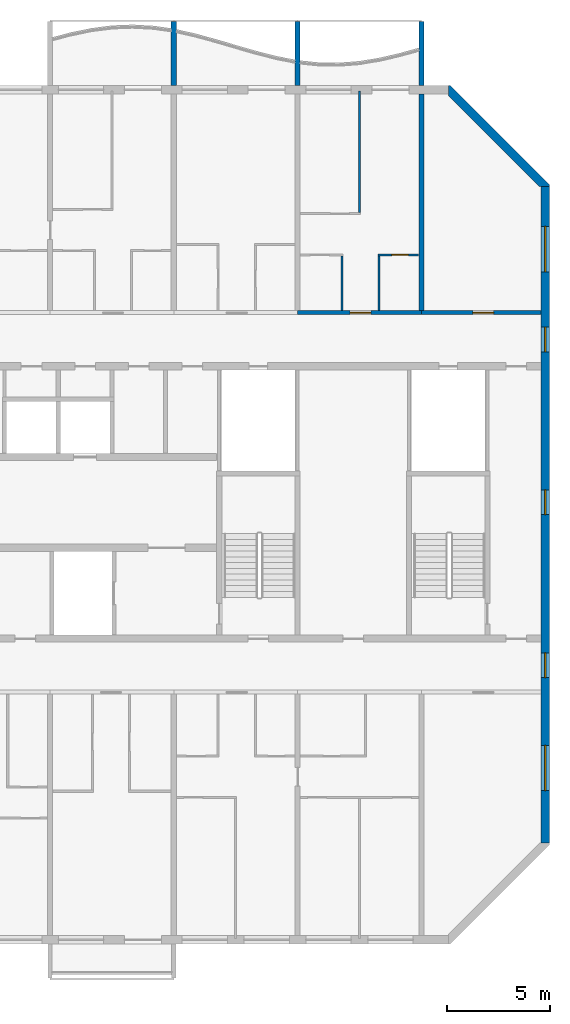
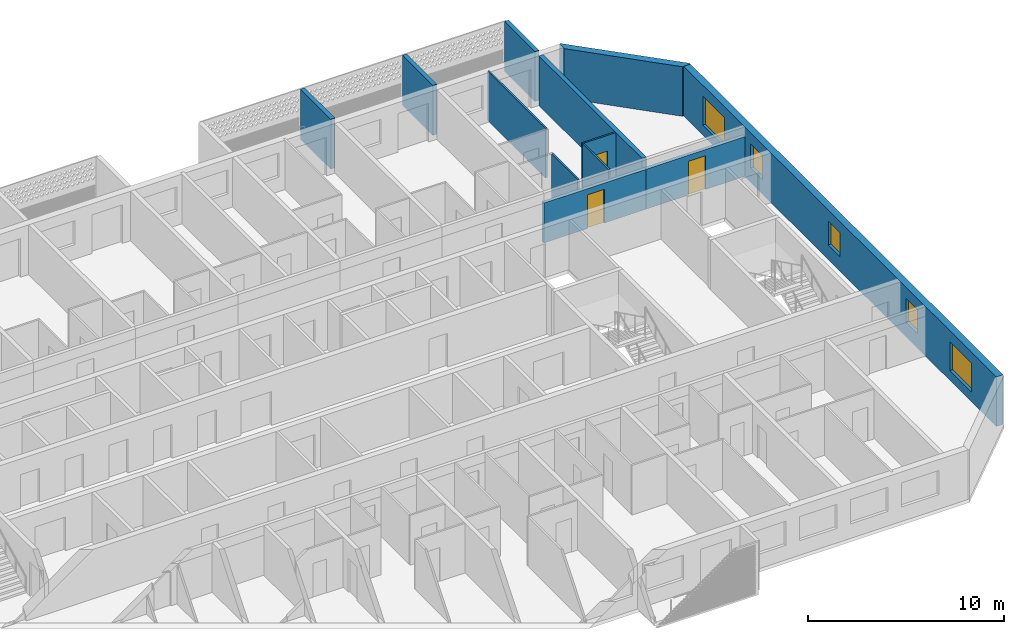
# One storey, part 11 of 29: 12 walls, 5 windows, 3 doors, 8 openings.
"""IFC4 building model written with IfcOpenShell, lengths in metres."""

import ifcopenshell
import ifcopenshell.guid

model = None  # the IFC model being written
_history = None  # IfcOwnerHistory: only IFC2X3 demands one
_inside = {}  # id of a spatial element -> (the spatial element, [elements in it])
_under = {}  # id of a project, library or spatial element -> (it, [spatial elements below it])
_declared = {}  # id of a project -> (the project, [libraries it declares])
_typed = {}  # id of a type object -> (the type object, [elements of that type])
_made_of = {}  # id of a material, layer set ... -> (it, [elements and type objects made of it])


def new_model(schema):
    """Start an empty IFC model of exactly this schema.

    Asked for "IFC4X3", IfcOpenShell would pick the latest addendum, in which some entities
    have other attributes; the version numbers below select the first issue.
    IFC2X3 requires an IfcOwnerHistory on every rooted entity: one is made here for all.
    """
    global model, _history
    if schema == "IFC4X3":
        model = ifcopenshell.file(schema_version=(4, 3, 0, 0))
    else:
        model = ifcopenshell.file(schema=schema)
    _inside.clear()
    _under.clear()
    _declared.clear()
    _typed.clear()
    _made_of.clear()
    _history = None
    if model.schema == "IFC2X3":
        org = make("IfcOrganization", Name="unknown")
        user = make(
            "IfcPersonAndOrganization",
            ThePerson=make("IfcPerson", FamilyName="unknown"),
            TheOrganization=org,
        )
        app = make(
            "IfcApplication",
            ApplicationDeveloper=org,
            Version="unknown",
            ApplicationFullName="unknown",
            ApplicationIdentifier="unknown",
        )
        _history = make(
            "IfcOwnerHistory",
            OwningUser=user,
            OwningApplication=app,
            ChangeAction="ADDED",
            CreationDate=0,
        )
    return model


def make(cls, **values):
    """One entity of the class cls with the attributes given. An attribute that is None is left unset."""
    return model.create_entity(
        cls, **{name: value for name, value in values.items() if value is not None}
    )


def rooted(cls, **values):
    """An entity with a GlobalId (a new one), such as an element, a storey or a relation."""
    return make(cls, GlobalId=ifcopenshell.guid.new(), OwnerHistory=_history, **values)


def si_unit(unit_type, name, prefix=None):
    """IfcSIUnit, for example si_unit("LENGTHUNIT", "METRE", prefix="MILLI")."""
    return make("IfcSIUnit", UnitType=unit_type, Prefix=prefix, Name=name)


def assignment(units):
    """IfcUnitAssignment: the units of a project."""
    return None if units is None else make("IfcUnitAssignment", Units=units)


def point(xyz):
    """IfcCartesianPoint."""
    return None if xyz is None else make("IfcCartesianPoint", Coordinates=xyz)


def direction(xyz):
    """IfcDirection."""
    return None if xyz is None else make("IfcDirection", DirectionRatios=xyz)


def frame(location, z_axis=None, x_axis=None):
    """IfcAxis2Placement3D, a coordinate frame: its origin and axes. An axis left out is left unset."""
    return make(
        "IfcAxis2Placement3D",
        Location=point(location),
        Axis=direction(z_axis),
        RefDirection=direction(x_axis),
    )


def frame_2d(location, x_axis=None):
    """IfcAxis2Placement2D, a coordinate frame in the plane: its origin and x axis."""
    return make(
        "IfcAxis2Placement2D", Location=point(location), RefDirection=direction(x_axis)
    )


def origin():
    """The frame at (0, 0, 0) with its axes left unset."""
    return frame((0.0, 0.0, 0.0))


def place(relative_to, where):
    """IfcLocalPlacement: puts the frame where relative to a parent placement (None: the world)."""
    return make(
        "IfcLocalPlacement", PlacementRelTo=relative_to, RelativePlacement=where
    )


def context(
    kind, dimensions, precision=None, world=None, true_north=None, identifier=None
):
    """IfcGeometricRepresentationContext, for example the 3D "Model" context."""
    return make(
        "IfcGeometricRepresentationContext",
        ContextIdentifier=identifier,
        ContextType=kind,
        CoordinateSpaceDimension=dimensions,
        Precision=precision,
        WorldCoordinateSystem=world,
        TrueNorth=true_north,
    )


def subcontext(parent, identifier, kind, view, scale=None):
    """IfcGeometricRepresentationSubContext, for example "Body" below "Model"."""
    return make(
        "IfcGeometricRepresentationSubContext",
        ContextIdentifier=identifier,
        ContextType=kind,
        ParentContext=parent,
        TargetScale=scale,
        TargetView=view,
    )


def project(units=None, contexts=None):
    """IfcProject with its units and contexts."""
    return rooted(
        "IfcProject",
        Name="project",
        RepresentationContexts=contexts,
        UnitsInContext=assignment(units),
    )


def spatial(cls, under=None, at=None, **own):
    """A site, building, storey or space (cls), placed at a placement, below another one or the project."""
    s = rooted(cls, ObjectPlacement=at, **own)
    if under is not None:
        _under.setdefault(under.id(), (under, []))[1].append(s)
    return s


def polyline(points):
    """IfcPolyline through the points."""
    return make("IfcPolyline", Points=[point(p) for p in points])


def profile(cls, at=None, kind="AREA", **sizes):
    """A parametric profile (cls). Its sizes go by their IFC names, for example OverallWidth=200.0."""
    return make(cls, ProfileType=kind, Position=at, **sizes)


def rectangle(**sizes):
    """IfcRectangleProfileDef."""
    return profile("IfcRectangleProfileDef", **sizes)


def outline(outer, holes=None, kind="AREA"):
    """IfcArbitraryClosedProfileDef: a profile drawn as a closed curve; with holes, ...WithVoids."""
    if holes is None:
        return make("IfcArbitraryClosedProfileDef", ProfileType=kind, OuterCurve=outer)
    return make(
        "IfcArbitraryProfileDefWithVoids",
        ProfileType=kind,
        OuterCurve=outer,
        InnerCurves=holes,
    )


def extrude(swept, where, along, depth):
    """IfcExtrudedAreaSolid: the profile swept, set in the frame where, extruded along a direction by depth."""
    return make(
        "IfcExtrudedAreaSolid",
        SweptArea=swept,
        Position=where,
        ExtrudedDirection=direction(along),
        Depth=depth,
    )


def shape(context_of_items, identifier, shape_type, items):
    """IfcShapeRepresentation: the items that make up one representation, for example the "Body"."""
    return make(
        "IfcShapeRepresentation",
        ContextOfItems=context_of_items,
        RepresentationIdentifier=identifier,
        RepresentationType=shape_type,
        Items=items,
    )


def source(mapping_origin, context_of_items, identifier, shape_type, items):
    """IfcRepresentationMap: a shape defined once, which mapped items show again and again."""
    return make(
        "IfcRepresentationMap",
        MappingOrigin=mapping_origin,
        MappedRepresentation=shape(context_of_items, identifier, shape_type, items),
    )


def transform(
    local_origin,
    x_axis=None,
    y_axis=None,
    z_axis=None,
    scale=None,
    scale2=None,
    scale3=None,
    uniform=True,
):
    """IfcCartesianTransformationOperator3D, or its non-uniform kind. x_axis, y_axis, z_axis: its Axis1, 2, 3."""
    if uniform:
        return make(
            "IfcCartesianTransformationOperator3D",
            Axis1=direction(x_axis),
            Axis2=direction(y_axis),
            LocalOrigin=point(local_origin),
            Scale=scale,
            Axis3=direction(z_axis),
        )
    return make(
        "IfcCartesianTransformationOperator3DnonUniform",
        Axis1=direction(x_axis),
        Axis2=direction(y_axis),
        LocalOrigin=point(local_origin),
        Scale=scale,
        Axis3=direction(z_axis),
        Scale2=scale2,
        Scale3=scale3,
    )


def mapped(mapping_source, mapping_target):
    """IfcMappedItem: shows the shape of a source again, moved by a transform."""
    return make(
        "IfcMappedItem", MappingSource=mapping_source, MappingTarget=mapping_target
    )


def material(Name=None, Category=None):
    """IfcMaterial."""
    return make("IfcMaterial", Name=Name, Category=Category)


def layer(
    of_material, thickness, ventilated=None, Name=None, Category=None, Priority=None
):
    """IfcMaterialLayer: one layer of a wall or slab, of a material (None: an air gap)."""
    return make(
        "IfcMaterialLayer",
        Material=of_material,
        LayerThickness=thickness,
        IsVentilated=ventilated,
        Name=Name,
        Category=Category,
        Priority=Priority,
    )


def layer_set(layers, Name=None):
    """IfcMaterialLayerSet."""
    return make("IfcMaterialLayerSet", MaterialLayers=layers, LayerSetName=Name)


def made_of(thing, what):
    """Note that an element or type object is made of a material, layer set ...; save() writes the relation."""
    if what is not None:
        _made_of.setdefault(what.id(), (what, []))[1].append(thing)
    return thing


def type_object(cls, material=None, **own):
    """A type object (cls), such as IfcWallType, which elements share."""
    return made_of(rooted(cls, **own), material)


def element(
    cls,
    number,
    at=None,
    inside=None,
    cuts=None,
    type_object=None,
    material=None,
    context=None,
    identifier="Body",
    shape_type=None,
    held_by="IfcProductDefinitionShape",
    body=None,
    shapes=None,
    **own,
):
    """One element of the class cls, such as IfcWall. Its Tag is "e" and its number.

    at: its placement. inside: the storey or other place that contains it. cuts: it is an
    opening in that element (IfcRelVoidsElement). A single representation is given by context,
    identifier, shape_type and body (its items); several are given by shapes. held_by: the class
    of the entity that holds the representations. save() writes the other relations.
    """
    e = rooted(cls, Tag="e%d" % number, ObjectPlacement=at, **own)
    if body is not None:
        shapes = [shape(context, identifier, shape_type, body)]
    if shapes is not None:
        e.Representation = make(held_by, Representations=shapes)
    if inside is not None:
        _inside.setdefault(inside.id(), (inside, []))[1].append(e)
    if cuts is not None:
        rooted(
            "IfcRelVoidsElement", RelatingBuildingElement=cuts, RelatedOpeningElement=e
        )
    if type_object is not None:
        _typed.setdefault(type_object.id(), (type_object, []))[1].append(e)
    return made_of(e, material)


def fill(opening, filler):
    """IfcRelFillsElement: the door or window that sits in an opening."""
    return rooted(
        "IfcRelFillsElement",
        RelatingOpeningElement=opening,
        RelatedBuildingElement=filler,
    )


def aggregate(whole, parts):
    """IfcRelAggregates: a whole, such as a stair, and the parts it consists of."""
    return rooted("IfcRelAggregates", RelatingObject=whole, RelatedObjects=parts)


def save(model, path):
    """Write the relations noted so far, then the file.

    IfcRelAggregates (storeys below a building ...), IfcRelContainedInSpatialStructure (elements
    in a storey), IfcRelDefinesByType, IfcRelAssociatesMaterial and IfcRelDeclares: one each for
    every whole, place, type object, material and project.
    """
    for whole, parts in _under.values():
        aggregate(whole, parts)
    for where, things in _inside.values():
        rooted(
            "IfcRelContainedInSpatialStructure",
            RelatedElements=things,
            RelatingStructure=where,
        )
    for kind, things in _typed.values():
        rooted("IfcRelDefinesByType", RelatedObjects=things, RelatingType=kind)
    for what, things in _made_of.values():
        rooted("IfcRelAssociatesMaterial", RelatedObjects=things, RelatingMaterial=what)
    for by, libraries in _declared.values():
        rooted("IfcRelDeclares", RelatingContext=by, RelatedDefinitions=libraries)
    model.write(path)


model = new_model("IFC4")

# Units and contexts
model_context = context("Model", 3, precision=1e-05, world=origin(), true_north=direction((0.0, 1.0)))
body_context = subcontext(model_context, "Body", "Model", "MODEL_VIEW")
ifc_project = project(units=[si_unit("LENGTHUNIT", "METRE"), si_unit("AREAUNIT", "SQUARE_METRE"), si_unit("VOLUMEUNIT", "CUBIC_METRE"), si_unit("PLANEANGLEUNIT", "RADIAN"), si_unit("MASSUNIT", "GRAM", prefix="KILO")], contexts=[model_context])

# Site, building, storey
site_placement = place(None, origin())
site = spatial("IfcSite", under=ifc_project, at=site_placement, CompositionType="ELEMENT")
building_placement = place(site_placement, origin())
building = spatial("IfcBuilding", under=site, at=building_placement, Name="Poui Terraces", CompositionType="ELEMENT")
storey_placement = place(building_placement, frame((0.0, 0.0, 237.89990234375)))
storey = spatial("IfcBuildingStorey", under=building, at=storey_placement, Name="L66", CompositionType="ELEMENT", Elevation=237.89990234375)

# Wall, opening, door
ifc_material_1 = material(Name="Concrete 50 MPa", Category="concrete")
ifc_layer_1 = layer(ifc_material_1, 0.199951171875)
ifc_layer_set_1 = layer_set([ifc_layer_1], Name="Concrete 50 MPa")
wall_type_1 = type_object("IfcWallType", Name="CORRIDOR WALL 200 50MPa", PredefinedType="SHEAR", material=ifc_layer_set_1)
wall_1_placement = place(storey_placement, frame((72.0, 30.39990234375, 0.0), z_axis=(0.0, 0.0, 1.0), x_axis=(1.0, 0.0, 0.0)))
wall_1 = element("IfcWall", 1, at=wall_1_placement, inside=storey, type_object=wall_type_1, Name="CORRIDOR WALL LINE E BAY 10", PredefinedType="SHEAR", context=body_context, shape_type="SweptSolid", body=[
    extrude(rectangle(XDim=6.0, YDim=0.199951171875, at=frame_2d((3.0, 0.0))), origin(), (0.0, 0.0, 1.0), 2.47998046875),
])
opening_1_placement = place(wall_1_placement, frame((2.550048828125, 0.0, 0.0)))
opening_1 = element("IfcOpeningElement", 2, at=opening_1_placement, cuts=wall_1, Name="Opening FD30S", PredefinedType="OPENING", context=body_context, shape_type="SweptSolid", body=[
    extrude(rectangle(XDim=1.0, YDim=2.10009765625, at=frame_2d((0.5, 1.050048828125))), frame((0.0, 0.10986328125, 0.0), z_axis=(0.0, -1.0, 0.0), x_axis=(1.0, 0.0, 0.0)), (0.0, 0.0, 1.0), 0.219970703125),
])
ifc_material_2 = material(Name="Steel fire door", Category="steel")
door_type_1 = type_object("IfcDoorType", Name="FLAT ENTRANCE DOOR 1000 X 2100", OperationType="NOTDEFINED", PredefinedType="DOOR", material=ifc_material_2)
door_1_placement = place(opening_1_placement, origin())
door_1 = element("IfcDoor", 3, at=door_1_placement, inside=storey, type_object=door_type_1, Name="FLAT ENTRANCE DOOR 060", OperationType="SINGLE_SWING_RIGHT", OverallHeight=2.10009765625, OverallWidth=1.0, PredefinedType="DOOR", context=body_context, shape_type="SweptSolid", body=[
    extrude(rectangle(XDim=1.0, YDim=2.10009765625, at=frame_2d((0.5, 1.050048828125))), frame((0.0, 0.02490234375, 0.0), z_axis=(0.0, -1.0, 0.0), x_axis=(1.0, 0.0, 0.0)), (0.0, 0.0, 1.0), 0.050048828125),
])
fill(opening_1, door_1)

wall_2_placement = place(storey_placement, frame((78.0, 30.39990234375, 0.0), z_axis=(0.0, 0.0, 1.0), x_axis=(1.0, 0.0, 0.0)))
wall_2 = element("IfcWall", 4, at=wall_2_placement, inside=storey, type_object=wall_type_1, Name="CORRIDOR WALL LINE E BAY 11", PredefinedType="SHEAR", context=body_context, shape_type="SweptSolid", body=[
    extrude(rectangle(XDim=5.800048828125, YDim=0.199951171875, at=frame_2d((2.89990234375, 0.0))), origin(), (0.0, 0.0, 1.0), 2.47998046875),
])
opening_2_placement = place(wall_2_placement, frame((2.5, 0.0, 0.0)))
opening_2 = element("IfcOpeningElement", 5, at=opening_2_placement, cuts=wall_2, Name="Opening D100", PredefinedType="OPENING", context=body_context, shape_type="SweptSolid", body=[
    extrude(rectangle(XDim=1.0, YDim=2.10009765625, at=frame_2d((0.5, 1.050048828125))), frame((0.0, 0.10986328125, 0.0), z_axis=(0.0, -1.0, 0.0), x_axis=(1.0, 0.0, 0.0)), (0.0, 0.0, 1.0), 0.219970703125),
])
ifc_material_3 = material(Name="Solid core timber door", Category="wood")
door_type_2 = type_object("IfcDoorType", Name="ACCESSIBLE INTERNAL DOOR 1000 X 2100", OperationType="NOTDEFINED", PredefinedType="DOOR", material=ifc_material_3)
door_2_placement = place(opening_2_placement, origin())
door_2 = element("IfcDoor", 6, at=door_2_placement, inside=storey, type_object=door_type_2, Name="ACCESSIBLE INTERNAL DOOR 062", OperationType="SINGLE_SWING_LEFT", OverallHeight=2.10009765625, OverallWidth=1.0, PredefinedType="DOOR", context=body_context, shape_type="SweptSolid", body=[
    extrude(rectangle(XDim=1.0, YDim=2.10009765625, at=frame_2d((0.5, 1.050048828125))), frame((0.0, 0.02490234375, 0.0), z_axis=(0.0, -1.0, 0.0), x_axis=(1.0, 0.0, 0.0)), (0.0, 0.0, 1.0), 0.050048828125),
])
fill(opening_2, door_2)

# Wall
ifc_layer_2 = layer(ifc_material_1, 0.25)
ifc_layer_set_2 = layer_set([ifc_layer_2], Name="Concrete 50 MPa")
wall_type_2 = type_object("IfcWallType", Name="CROSS WALL 250 50MPa", PredefinedType="SHEAR", material=ifc_layer_set_2)
wall_3_placement = place(storey_placement, frame((78.0, 30.5, 0.0), z_axis=(0.0, 0.0, 1.0), x_axis=(0.0, 1.0, 0.0)))
element("IfcWall", 7, at=wall_3_placement, inside=storey, type_object=wall_type_2, Name="CROSS WALL LINE 14 NORTH", PredefinedType="SHEAR", context=body_context, shape_type="SweptSolid", body=[
    extrude(rectangle(XDim=10.5, YDim=0.25, at=frame_2d((5.25, 0.0))), origin(), (0.0, 0.0, 1.0), 3.080078125),
])

# Wall, openings, windows
ifc_layer_3 = layer(ifc_material_1, 0.39990234375)
ifc_layer_set_3 = layer_set([ifc_layer_3], Name="Concrete 50 MPa")
wall_type_3 = type_object("IfcWallType", Name="END WALL 400 50MPa", PredefinedType="SHEAR", material=ifc_layer_set_3)
wall_4_placement = place(storey_placement, frame((84.0, 4.682861328125, 0.0), z_axis=(0.0, 0.0, 1.0), x_axis=(0.0, 1.0, 0.0)))
wall_4 = element("IfcWall", 8, at=wall_4_placement, inside=storey, type_object=wall_type_3, Name="END WALL EAST", PredefinedType="SHEAR", context=body_context, shape_type="SweptSolid", body=[
    extrude(rectangle(XDim=31.834228515625, YDim=0.39990234375, at=frame_2d((15.9169921875, 0.0))), origin(), (0.0, 0.0, 1.0), 3.080078125),
])
opening_3_placement = place(wall_4_placement, frame((23.817138671875, 0.0, 0.89990234375)))
opening_3 = element("IfcOpeningElement", 9, at=opening_3_placement, cuts=wall_4, Name="Opening W2", PredefinedType="OPENING", context=body_context, shape_type="SweptSolid", body=[
    extrude(rectangle(XDim=1.199951171875, YDim=1.5, at=frame_2d((0.60009765625, 0.75))), frame((0.0, 0.2099609375, 0.0), z_axis=(0.0, -1.0, 0.0), x_axis=(1.0, 0.0, 0.0)), (0.0, 0.0, 1.0), 0.419921875),
])
opening_4_placement = place(wall_4_placement, frame((8.01708984375, 0.0, 0.89990234375)))
opening_4 = element("IfcOpeningElement", 10, at=opening_4_placement, cuts=wall_4, Name="Opening W2", PredefinedType="OPENING", context=body_context, shape_type="SweptSolid", body=[
    extrude(rectangle(XDim=1.199951171875, YDim=1.5, at=frame_2d((0.60009765625, 0.75))), frame((0.0, 0.2099609375, 0.0), z_axis=(0.0, -1.0, 0.0), x_axis=(1.0, 0.0, 0.0)), (0.0, 0.0, 1.0), 0.419921875),
])
opening_5_placement = place(wall_4_placement, frame((27.693603515625, 0.0, 0.60009765625)))
opening_5 = element("IfcOpeningElement", 11, at=opening_5_placement, cuts=wall_4, Name="Opening W3", PredefinedType="OPENING", context=body_context, shape_type="SweptSolid", body=[
    extrude(rectangle(XDim=2.199951171875, YDim=1.800048828125, at=frame_2d((1.10009765625, 0.89990234375))), frame((0.0, 0.2099609375, 0.0), z_axis=(0.0, -1.0, 0.0), x_axis=(1.0, 0.0, 0.0)), (0.0, 0.0, 1.0), 0.419921875),
])
opening_6_placement = place(wall_4_placement, frame((2.541015625, 0.0, 0.60009765625)))
opening_6 = element("IfcOpeningElement", 12, at=opening_6_placement, cuts=wall_4, Name="Opening W3", PredefinedType="OPENING", context=body_context, shape_type="SweptSolid", body=[
    extrude(rectangle(XDim=2.199951171875, YDim=1.800048828125, at=frame_2d((1.10009765625, 0.89990234375))), frame((0.0, 0.2099609375, 0.0), z_axis=(0.0, -1.0, 0.0), x_axis=(1.0, 0.0, 0.0)), (0.0, 0.0, 1.0), 0.419921875),
])
opening_7_placement = place(wall_4_placement, frame((15.917236328125, 0.0, 0.89990234375)))
opening_7 = element("IfcOpeningElement", 13, at=opening_7_placement, cuts=wall_4, Name="Opening W2", PredefinedType="OPENING", context=body_context, shape_type="SweptSolid", body=[
    extrude(rectangle(XDim=1.199951171875, YDim=1.5, at=frame_2d((0.60009765625, 0.75))), frame((0.0, 0.2099609375, 0.0), z_axis=(0.0, -1.0, 0.0), x_axis=(1.0, 0.0, 0.0)), (0.0, 0.0, 1.0), 0.419921875),
])
ifc_material_4 = material(Name="Clear glass in aluminium frame", Category="aluminium")
window_type_1 = type_object("IfcWindowType", Name="WINDOW 1200X1500", PartitioningType="SINGLE_PANEL", PredefinedType="WINDOW", material=ifc_material_4)
window_1_placement = place(opening_3_placement, origin())
window_1 = element("IfcWindow", 14, at=window_1_placement, inside=storey, type_object=window_type_1, Name="W2 WINDOW", OverallHeight=1.5, OverallWidth=1.199951171875, PartitioningType="SINGLE_PANEL", PredefinedType="WINDOW", context=body_context, shape_type="SweptSolid", body=[
    extrude(rectangle(XDim=1.199951171875, YDim=1.5, at=frame_2d((0.60009765625, 0.75))), frame((0.0, 0.030029296875, 0.0), z_axis=(0.0, -1.0, 0.0), x_axis=(1.0, 0.0, 0.0)), (0.0, 0.0, 1.0), 0.06005859375),
])
fill(opening_3, window_1)
window_2_placement = place(opening_4_placement, origin())
window_2 = element("IfcWindow", 15, at=window_2_placement, inside=storey, type_object=window_type_1, Name="W2 WINDOW", OverallHeight=1.5, OverallWidth=1.199951171875, PartitioningType="SINGLE_PANEL", PredefinedType="WINDOW", context=body_context, shape_type="SweptSolid", body=[
    extrude(rectangle(XDim=1.199951171875, YDim=1.5, at=frame_2d((0.60009765625, 0.75))), frame((0.0, 0.030029296875, 0.0), z_axis=(0.0, -1.0, 0.0), x_axis=(1.0, 0.0, 0.0)), (0.0, 0.0, 1.0), 0.06005859375),
])
fill(opening_4, window_2)
window_3_placement = place(opening_7_placement, origin())
window_3 = element("IfcWindow", 16, at=window_3_placement, inside=storey, type_object=window_type_1, Name="W2 WINDOW", OverallHeight=1.5, OverallWidth=1.199951171875, PartitioningType="SINGLE_PANEL", PredefinedType="WINDOW", context=body_context, shape_type="SweptSolid", body=[
    extrude(rectangle(XDim=1.199951171875, YDim=1.5, at=frame_2d((0.60009765625, 0.75))), frame((0.0, 0.030029296875, 0.0), z_axis=(0.0, -1.0, 0.0), x_axis=(1.0, 0.0, 0.0)), (0.0, 0.0, 1.0), 0.06005859375),
])
fill(opening_7, window_3)
window_type_2 = type_object("IfcWindowType", Name="WINDOW 2200X1800", PartitioningType="DOUBLE_PANEL_HORIZONTAL", PredefinedType="WINDOW", material=ifc_material_4)
window_4_placement = place(opening_5_placement, origin())
window_4 = element("IfcWindow", 17, at=window_4_placement, inside=storey, type_object=window_type_2, Name="W3 WINDOW", OverallHeight=1.800048828125, OverallWidth=2.199951171875, PartitioningType="DOUBLE_PANEL_HORIZONTAL", PredefinedType="WINDOW", context=body_context, shape_type="SweptSolid", body=[
    extrude(rectangle(XDim=2.199951171875, YDim=1.800048828125, at=frame_2d((1.10009765625, 0.89990234375))), frame((0.0, 0.030029296875, 0.0), z_axis=(0.0, -1.0, 0.0), x_axis=(1.0, 0.0, 0.0)), (0.0, 0.0, 1.0), 0.06005859375),
])
fill(opening_5, window_4)
window_5_placement = place(opening_6_placement, origin())
window_5 = element("IfcWindow", 18, at=window_5_placement, inside=storey, type_object=window_type_2, Name="W3 WINDOW", OverallHeight=1.800048828125, OverallWidth=2.199951171875, PartitioningType="DOUBLE_PANEL_HORIZONTAL", PredefinedType="WINDOW", context=body_context, shape_type="SweptSolid", body=[
    extrude(rectangle(XDim=2.199951171875, YDim=1.800048828125, at=frame_2d((1.10009765625, 0.89990234375))), frame((0.0, 0.030029296875, 0.0), z_axis=(0.0, -1.0, 0.0), x_axis=(1.0, 0.0, 0.0)), (0.0, 0.0, 1.0), 0.06005859375),
])
fill(opening_6, window_5)

# Wall, opening, door
ifc_material_5 = material(Name="Plasterboard partition")
ifc_layer_4 = layer(ifc_material_5, 0.10009765625)
ifc_layer_set_4 = layer_set([ifc_layer_4], Name="Plasterboard partition")
wall_type_4 = type_object("IfcWallType", Name="FLAT PARTITION 100", PredefinedType="PARTITIONING", material=ifc_layer_set_4)
wall_5_placement = place(storey_placement, frame((75.89990234375, 33.199951171875, 0.0), z_axis=(0.0, 0.0, 1.0), x_axis=(1.0, 0.0, 0.0)))
wall_5 = element("IfcWall", 19, at=wall_5_placement, inside=storey, type_object=wall_type_4, Name="FLAT PARTITION 100", PredefinedType="PARTITIONING", context=body_context, shape_type="SweptSolid", body=[
    extrude(rectangle(XDim=1.965087890625, YDim=0.10009765625, at=frame_2d((0.982421875, 0.0))), origin(), (0.0, 0.0, 1.0), 3.080078125),
])
opening_8_placement = place(wall_5_placement, frame((0.675048828125, 0.0, 0.0)))
opening_8 = element("IfcOpeningElement", 20, at=opening_8_placement, cuts=wall_5, Name="Opening D80", PredefinedType="OPENING", context=body_context, shape_type="SweptSolid", body=[
    extrude(rectangle(XDim=0.800048828125, YDim=2.10009765625, at=frame_2d((0.39990234375, 1.050048828125))), frame((0.0, 0.06005859375, 0.0), z_axis=(0.0, -1.0, 0.0), x_axis=(1.0, 0.0, 0.0)), (0.0, 0.0, 1.0), 0.1201171875),
])
door_type_3 = type_object("IfcDoorType", Name="BATHROOM, LAUNDRY AND STORE DOOR 800 X 2100", OperationType="NOTDEFINED", PredefinedType="DOOR", material=ifc_material_3)
door_3_placement = place(opening_8_placement, frame((0.800048828125, 0.0, 0.0), z_axis=(0.0, 0.0, 1.0), x_axis=(-1.0, 0.0, 0.0)))
door_3 = element("IfcDoor", 21, at=door_3_placement, inside=storey, type_object=door_type_3, Name="BATHROOM, LAUNDRY AND STORE DOOR 061", OperationType="SINGLE_SWING_RIGHT", OverallHeight=2.10009765625, OverallWidth=0.800048828125, PredefinedType="DOOR", context=body_context, shape_type="SweptSolid", body=[
    extrude(rectangle(XDim=0.800048828125, YDim=2.10009765625, at=frame_2d((0.39990234375, 1.050048828125))), frame((0.0, 0.02490234375, 0.0), z_axis=(0.0, -1.0, 0.0), x_axis=(1.0, 0.0, 0.0)), (0.0, 0.0, 1.0), 0.050048828125),
])
fill(opening_8, door_3)

# Walls
wall_6_placement = place(storey_placement, frame((74.14990234375, 30.510009765625, 0.0), z_axis=(0.0, 0.0, 1.0), x_axis=(0.0, 1.0, 0.0)))
element("IfcWall", 22, at=wall_6_placement, inside=storey, type_object=wall_type_4, Name="FLAT PARTITION 100", PredefinedType="PARTITIONING", context=body_context, shape_type="SweptSolid", body=[
    extrude(rectangle(XDim=2.639892578125, YDim=0.10009765625, at=frame_2d((1.31982421875, 0.0))), origin(), (0.0, 0.0, 1.0), 3.080078125),
])
wall_7_placement = place(storey_placement, frame((75.0, 35.25, 0.0), z_axis=(0.0, 0.0, 1.0), x_axis=(0.0, 1.0, 0.0)))
element("IfcWall", 23, at=wall_7_placement, inside=storey, type_object=wall_type_4, Name="FLAT PARTITION 100", PredefinedType="PARTITIONING", context=body_context, shape_type="SweptSolid", body=[
    extrude(rectangle(XDim=5.889892578125, YDim=0.10009765625, at=frame_2d((2.94482421875, 0.0))), origin(), (0.0, 0.0, 1.0), 3.080078125),
])
wall_8_placement = place(storey_placement, frame((75.949951171875, 30.510009765625, 0.0), z_axis=(0.0, 0.0, 1.0), x_axis=(0.0, 1.0, 0.0)))
element("IfcWall", 24, at=wall_8_placement, inside=storey, type_object=wall_type_4, Name="FLAT PARTITION 100", PredefinedType="PARTITIONING", context=body_context, shape_type="SweptSolid", body=[
    extrude(rectangle(XDim=2.639892578125, YDim=0.10009765625, at=frame_2d((1.31982421875, 0.0))), origin(), (0.0, 0.0, 1.0), 3.080078125),
])
ifc_material_6 = material(Name="Precast concrete 40 MPa", Category="concrete")
ifc_layer_5 = layer(ifc_material_6, 0.39990234375)
ifc_layer_set_5 = layer_set([ifc_layer_5], Name="Precast concrete 40 MPa")
wall_type_5 = type_object("IfcWallType", Name="TERRACOTTA CLAD CHAMFER WALL 400", PredefinedType="STANDARD", material=ifc_layer_set_5)
wall_9_placement = place(storey_placement, origin())
element("IfcWall", 25, at=wall_9_placement, inside=storey, type_object=wall_type_5, Name="CHAMFER WALL CH03", PredefinedType="STANDARD", context=body_context, shape_type="SweptSolid", body=[
    extrude(outline(polyline([(84.199951171875, 36.51708984375), (84.199951171875, 36.60009765625), (79.39990234375, 41.39990234375), (79.317138671875, 41.39990234375), (79.317138671875, 40.917236328125), (83.71728515625, 36.51708984375), (84.199951171875, 36.51708984375)])), origin(), (0.0, 0.0, 1.0), 3.080078125),
])
ifc_layer_6 = layer(ifc_material_6, 0.25)
ifc_layer_set_6 = layer_set([ifc_layer_6], Name="Precast concrete 40 MPa")
wall_type_6 = type_object("IfcWallType", Name="BALCONY FIN 250", PredefinedType="STANDARD", material=ifc_layer_set_6)
shared_shape = source(origin(), body_context, "Body", "SweptSolid", [
    extrude(outline(polyline([(0.0, 0.0), (0.25, 0.0), (0.25, 3.10009765625), (0.0, 3.10009765625), (0.0, 0.0)])), origin(), (0.0, 0.0, 1.0), 3.10009765625),
])
for number, where, name in (
    (26, (65.875, 41.39990234375, 0.0), "BALCONY FIN"),
    (27, (71.875, 41.39990234375, 0.0), "BALCONY FIN"),
    (28, (77.875, 41.39990234375, 0.0), "BALCONY FIN"),
):
    element("IfcWall", number, at=place(storey_placement, frame(where)), inside=storey, type_object=wall_type_6, Name=name, PredefinedType="STANDARD", context=body_context, shape_type="MappedRepresentation", body=[
        mapped(shared_shape, transform((0.0, 0.0, 0.0))),
    ])

save(model, "model.ifc")
